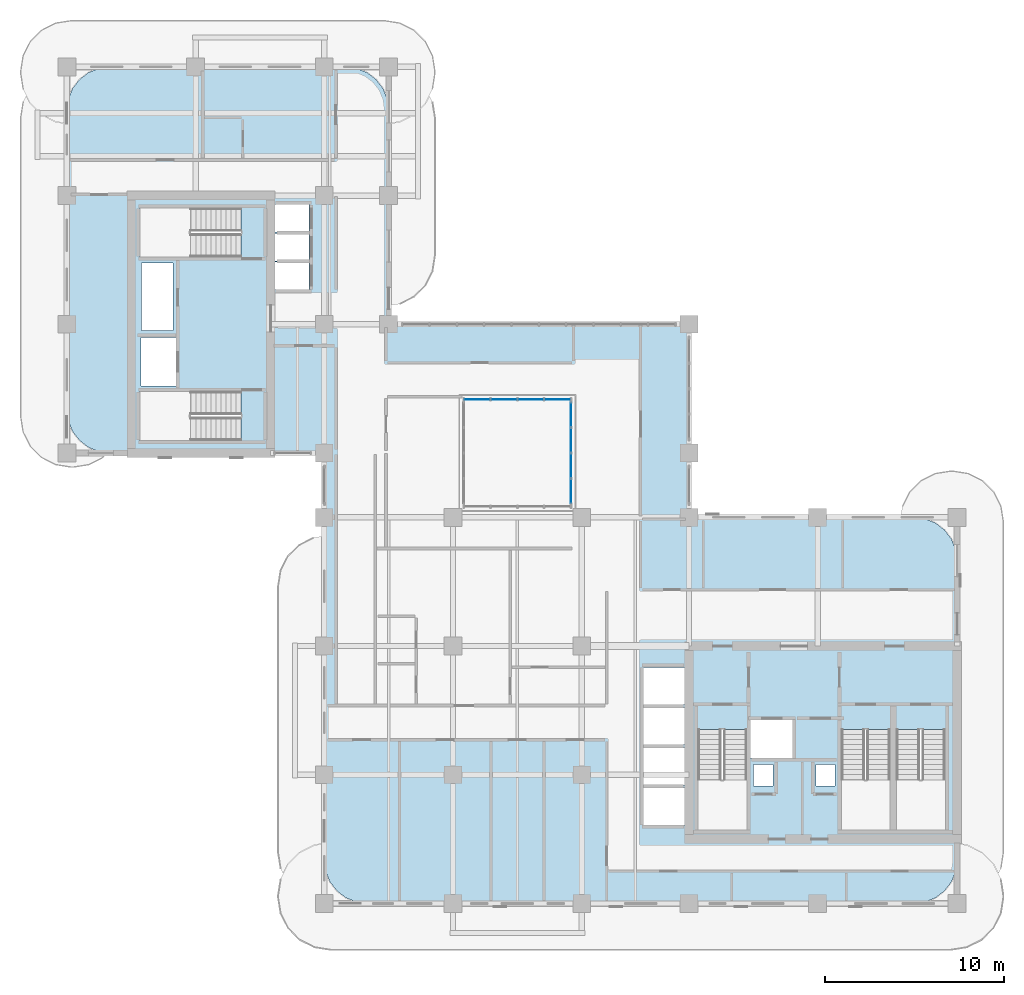
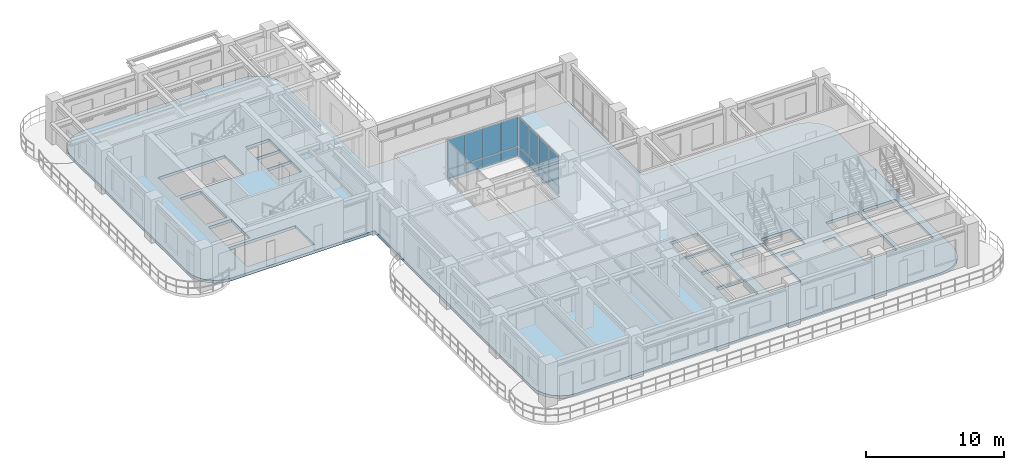
# One storey, part 8 of 20: 16 plates, 1 slab, 2 elements without a shape of their own.
"""IFC4 building model written with IfcOpenShell, lengths in metres."""

from ifc_helpers import new_model, si_unit, derived_unit, direction, frame, origin, origin_2d, place, context, subcontext, project, spatial, polyline, rectangle, outline, extrude, source, transform, mapped, material, layer, layer_set, type_object, element, aggregate, save


model = new_model("IFC4")

# Units and contexts
model_context = context("Model", 3, precision=1e-05, world=origin(), true_north=direction((0.0, 1.0)))
body_context = subcontext(model_context, "Body", "Model", "MODEL_VIEW")
ifc_project = project(units=[si_unit("LENGTHUNIT", "METRE"), si_unit("AREAUNIT", "SQUARE_METRE"), si_unit("VOLUMEUNIT", "CUBIC_METRE"), si_unit("PLANEANGLEUNIT", "RADIAN"), si_unit("MASSUNIT", "GRAM", prefix="KILO"), si_unit("THERMODYNAMICTEMPERATUREUNIT", "KELVIN"), si_unit("POWERUNIT", "WATT"), derived_unit("THERMALTRANSMITTANCEUNIT", [(si_unit("POWERUNIT", "WATT"), 1), (si_unit("AREAUNIT", "SQUARE_METRE"), -1), (si_unit("THERMODYNAMICTEMPERATUREUNIT", "KELVIN"), -1)])], contexts=[model_context])

# Site, building, storey
site_placement = place(None, origin())
site = spatial("IfcSite", under=ifc_project, at=site_placement, CompositionType="ELEMENT")
building_placement = place(site_placement, origin())
building = spatial("IfcBuilding", under=site, at=building_placement, Name="Zahravan Archway Hotel and Residences", CompositionType="ELEMENT")
storey_placement = place(building_placement, frame((0.0, 0.0, 161.85009765625)))
storey = spatial("IfcBuildingStorey", under=building, at=storey_placement, Name="L40", CompositionType="ELEMENT", Elevation=161.85009765625)

# Slab
ifc_material_1 = material(Name="Concrete C45/55", Category="concrete")
ifc_layer_1 = layer(ifc_material_1, 0.25, Name="Concrete C45/55", Category="concrete")
ifc_layer_set_1 = layer_set([ifc_layer_1], Name="Concrete C45/55")
slab_type = type_object("IfcSlabType", Name="SLB-FLR-250", PredefinedType="FLOOR", material=ifc_layer_set_1)
slab_placement = place(storey_placement, frame((0.0, 0.0, -0.25)))
element("IfcSlab", 1, at=slab_placement, inside=storey, type_object=slab_type, Name="L40 Floor Slab LB", PredefinedType="FLOOR", context=body_context, shape_type="SweptSolid", body=[
    extrude(outline(polyline([(34.800048828125, 21.60009765625), (34.800048828125, 32.39990234375), (18.0, 32.39990234375), (18.0, 44.39990234375), (17.918212890625, 45.021240234375), (17.678466796875, 45.60009765625), (17.297119140625, 46.09716796875), (16.800048828125, 46.478515625), (16.22119140625, 46.71826171875), (15.60009765625, 46.800048828125), (2.39990234375, 46.800048828125), (1.77880859375, 46.71826171875), (1.199951171875, 46.478515625), (0.702880859375, 46.09716796875), (0.321533203125, 45.60009765625), (0.081787109375, 45.021240234375), (0.0, 44.39990234375), (0.0, 27.60009765625), (0.081787109375, 26.978759765625), (0.321533203125, 26.39990234375), (0.702880859375, 25.90283203125), (1.199951171875, 25.521484375), (1.77880859375, 25.28173828125), (2.39990234375, 25.199951171875), (14.39990234375, 25.199951171875), (14.39990234375, 19.199951171875), (14.39990234375, 19.10009765625), (14.39990234375, 2.39990234375), (14.481689453125, 1.77880859375), (14.721435546875, 1.199951171875), (15.102783203125, 0.702880859375), (15.60009765625, 0.321533203125), (16.1787109375, 0.081787109375), (16.800048828125, 0.0), (47.39990234375, 0.0), (48.021240234375, 0.081787109375), (48.60009765625, 0.321533203125), (49.09716796875, 0.702880859375), (49.478515625, 1.199951171875), (49.71826171875, 1.77880859375), (49.800048828125, 2.39990234375), (49.800048828125, 19.199951171875), (49.71826171875, 19.8212890625), (49.478515625, 20.39990234375), (49.09716796875, 20.897216796875), (48.60009765625, 21.278564453125), (48.021240234375, 21.518310546875), (47.39990234375, 21.60009765625), (34.800048828125, 21.60009765625)]), holes=[polyline([(35.300048828125, 9.72998046875), (35.300048828125, 4.10009765625), (38.0400390625, 4.10009765625), (38.0400390625, 9.72998046875), (35.300048828125, 9.72998046875)]), polyline([(43.320068359375, 9.72998046875), (43.320068359375, 4.10009765625), (46.06005859375, 4.10009765625), (46.06005859375, 9.72998046875), (43.320068359375, 9.72998046875)]), polyline([(46.39990234375, 9.72998046875), (46.39990234375, 4.10009765625), (49.139892578125, 4.10009765625), (49.139892578125, 9.72998046875), (46.39990234375, 9.72998046875)]), polyline([(9.72998046875, 28.639892578125), (4.10009765625, 28.639892578125), (4.10009765625, 25.89990234375), (9.72998046875, 25.89990234375), (9.72998046875, 28.639892578125)]), polyline([(9.72998046875, 38.89990234375), (4.10009765625, 38.89990234375), (4.10009765625, 36.159912109375), (9.72998046875, 36.159912109375), (9.72998046875, 38.89990234375)]), polyline([(38.179931640625, 8.14990234375), (40.699951171875, 8.14990234375), (40.699951171875, 10.25), (38.179931640625, 10.25), (38.179931640625, 8.14990234375)]), polyline([(4.14990234375, 28.949951171875), (6.10009765625, 28.949951171875), (6.10009765625, 31.64990234375), (4.14990234375, 31.64990234375), (4.14990234375, 28.949951171875)]), polyline([(11.550048828125, 34.35009765625), (13.550048828125, 34.35009765625), (13.550048828125, 35.889892578125), (11.550048828125, 35.889892578125), (11.550048828125, 34.35009765625)]), polyline([(11.550048828125, 35.949951171875), (13.550048828125, 35.949951171875), (13.550048828125, 37.489990234375), (11.550048828125, 37.489990234375), (11.550048828125, 35.949951171875)]), polyline([(11.550048828125, 37.550048828125), (13.550048828125, 37.550048828125), (13.550048828125, 39.090087890625), (11.550048828125, 39.090087890625), (11.550048828125, 37.550048828125)]), polyline([(32.25, 4.39990234375), (34.550048828125, 4.39990234375), (34.550048828125, 6.47998046875), (32.25, 6.47998046875), (32.25, 4.39990234375)]), polyline([(32.25, 6.639892578125), (34.550048828125, 6.639892578125), (34.550048828125, 8.719970703125), (32.25, 8.719970703125), (32.25, 6.639892578125)]), polyline([(32.25, 8.8798828125), (34.550048828125, 8.8798828125), (34.550048828125, 10.9599609375), (32.25, 10.9599609375), (32.25, 8.8798828125)]), polyline([(32.25, 11.1201171875), (34.550048828125, 11.1201171875), (34.550048828125, 13.199951171875), (32.25, 13.199951171875), (32.25, 11.1201171875)]), polyline([(22.199951171875, 22.199951171875), (28.199951171875, 22.199951171875), (28.199951171875, 28.199951171875), (22.199951171875, 28.199951171875), (22.199951171875, 22.199951171875)]), polyline([(38.419921875, 6.56005859375), (39.5, 6.56005859375), (39.5, 7.780029296875), (38.419921875, 7.780029296875), (38.419921875, 6.56005859375)]), polyline([(41.89990234375, 6.56005859375), (42.9599609375, 6.56005859375), (42.9599609375, 7.780029296875), (41.89990234375, 7.780029296875), (41.89990234375, 6.56005859375)]), polyline([(4.179931640625, 32.050048828125), (5.93994140625, 32.050048828125), (5.93994140625, 35.840087890625), (4.179931640625, 35.840087890625), (4.179931640625, 32.050048828125)])]), origin(), (0.0, 0.0, 1.0), 0.25),
])

# Curtain wall, plates
ifc_material_2 = material(Name="Bronze-Anodized Unitised Aluminium & Low-E Glass", Category="aluminium")
ifc_layer_2 = layer(ifc_material_2, 0.179931640625, Name="Bronze-Anodized Unitised Aluminium & Low-E Glass", Category="aluminium")
ifc_layer_set_2 = layer_set([ifc_layer_2], Name="Bronze-Anodized Unitised Aluminium & Low-E Glass")
curtain_wall_type = type_object("IfcCurtainWallType", Name="CW-ATR-GLAZ", PredefinedType="NOTDEFINED", material=ifc_layer_set_2)
curtain_wall_1_placement = place(storey_placement, origin())
curtain_wall_1 = element("IfcCurtainWall", 2, at=curtain_wall_1_placement, inside=storey, type_object=curtain_wall_type, Name="L40 Curtain Wall CW-ATR-L40-N-1", PredefinedType="NOTDEFINED")
ifc_material_3 = material(Name="Insulated Terracotta Spandrel Panel", Category="masonry")
ifc_layer_3 = layer(ifc_material_3, 0.0400390625, Name="Insulated Terracotta Spandrel Panel", Category="masonry")
ifc_layer_set_3 = layer_set([ifc_layer_3], Name="Insulated Terracotta Spandrel Panel")
plate_type_1 = type_object("IfcPlateType", Name="CWP-SPN-40", PredefinedType="SHEET", material=ifc_layer_set_3)
shared_shape_1 = source(origin(), body_context, "Body", "SweptSolid", [
    extrude(rectangle(XDim=1.419921875, YDim=0.0400390625, at=origin_2d()), origin(), (0.0, 0.0, 1.0), 0.7099609375),
])
plate_1_placement = place(storey_placement, frame((22.949951171875, 28.199951171875, 0.099853515625), z_axis=(0.0, 0.0, 1.0), x_axis=(1.0, 0.0, 0.0)))
plate_1 = element("IfcPlate", 3, at=plate_1_placement, type_object=plate_type_1, Name="CW-ATR-L40-N-1 Spandrel Panel 0", PredefinedType="SHEET", context=body_context, shape_type="MappedRepresentation", body=[
    mapped(shared_shape_1, transform((0.0, 0.0, 0.0), scale=1.0)),
])
plate_2_placement = place(storey_placement, frame((24.449951171875, 28.199951171875, 0.099853515625), z_axis=(0.0, 0.0, 1.0), x_axis=(1.0, 0.0, 0.0)))
plate_2 = element("IfcPlate", 4, at=plate_2_placement, type_object=plate_type_1, Name="CW-ATR-L40-N-1 Spandrel Panel 1", PredefinedType="SHEET", context=body_context, shape_type="MappedRepresentation", body=[
    mapped(shared_shape_1, transform((0.0, 0.0, 0.0), scale=1.0)),
])
plate_3_placement = place(storey_placement, frame((25.949951171875, 28.199951171875, 0.099853515625), z_axis=(0.0, 0.0, 1.0), x_axis=(1.0, 0.0, 0.0)))
plate_3 = element("IfcPlate", 5, at=plate_3_placement, type_object=plate_type_1, Name="CW-ATR-L40-N-1 Spandrel Panel 2", PredefinedType="SHEET", context=body_context, shape_type="MappedRepresentation", body=[
    mapped(shared_shape_1, transform((0.0, 0.0, 0.0), scale=1.0)),
])
plate_4_placement = place(storey_placement, frame((27.449951171875, 28.199951171875, 0.099853515625), z_axis=(0.0, 0.0, 1.0), x_axis=(1.0, 0.0, 0.0)))
plate_4 = element("IfcPlate", 6, at=plate_4_placement, type_object=plate_type_1, Name="CW-ATR-L40-N-1 Spandrel Panel 3", PredefinedType="SHEET", context=body_context, shape_type="MappedRepresentation", body=[
    mapped(shared_shape_1, transform((0.0, 0.0, 0.0), scale=1.0)),
])

curtain_wall_2_placement = place(storey_placement, origin())
curtain_wall_2 = element("IfcCurtainWall", 7, at=curtain_wall_2_placement, inside=storey, type_object=curtain_wall_type, Name="L40 Curtain Wall CW-ATR-L40-E-1", PredefinedType="NOTDEFINED")
shared_shape_2 = source(origin(), body_context, "Body", "SweptSolid", [
    extrude(rectangle(XDim=1.344970703125, YDim=0.0400390625, at=origin_2d()), origin(), (0.0, 0.0, 1.0), 0.7099609375),
])
plate_5_placement = place(storey_placement, frame((28.199951171875, 23.0625, 0.099853515625), z_axis=(0.0, 0.0, 1.0), x_axis=(0.0, 1.0, 0.0)))
plate_5 = element("IfcPlate", 8, at=plate_5_placement, type_object=plate_type_1, Name="CW-ATR-L40-E-1 Spandrel Panel 0", PredefinedType="SHEET", context=body_context, shape_type="MappedRepresentation", body=[
    mapped(shared_shape_2, transform((0.0, 0.0, 0.0), scale=1.0)),
])
plate_6_placement = place(storey_placement, frame((28.199951171875, 24.487548828125, 0.099853515625), z_axis=(0.0, 0.0, 1.0), x_axis=(0.0, 1.0, 0.0)))
plate_6 = element("IfcPlate", 9, at=plate_6_placement, type_object=plate_type_1, Name="CW-ATR-L40-E-1 Spandrel Panel 1", PredefinedType="SHEET", context=body_context, shape_type="MappedRepresentation", body=[
    mapped(shared_shape_2, transform((0.0, 0.0, 0.0), scale=1.0)),
])
plate_7_placement = place(storey_placement, frame((28.199951171875, 25.91259765625, 0.099853515625), z_axis=(0.0, 0.0, 1.0), x_axis=(0.0, 1.0, 0.0)))
plate_7 = element("IfcPlate", 10, at=plate_7_placement, type_object=plate_type_1, Name="CW-ATR-L40-E-1 Spandrel Panel 2", PredefinedType="SHEET", context=body_context, shape_type="MappedRepresentation", body=[
    mapped(shared_shape_2, transform((0.0, 0.0, 0.0), scale=1.0)),
])
plate_8_placement = place(storey_placement, frame((28.199951171875, 27.33740234375, 0.099853515625), z_axis=(0.0, 0.0, 1.0), x_axis=(0.0, 1.0, 0.0)))
plate_8 = element("IfcPlate", 11, at=plate_8_placement, type_object=plate_type_1, Name="CW-ATR-L40-E-1 Spandrel Panel 3", PredefinedType="SHEET", context=body_context, shape_type="MappedRepresentation", body=[
    mapped(shared_shape_2, transform((0.0, 0.0, 0.0), scale=1.0)),
])

# Plate
ifc_material_4 = material(Name="Double-Silver Low-E Insulated Vision Glass", Category="glass")
ifc_layer_4 = layer(ifc_material_4, 0.028076171875, Name="Double-Silver Low-E Insulated Vision Glass", Category="glass")
ifc_layer_set_4 = layer_set([ifc_layer_4], Name="Double-Silver Low-E Insulated Vision Glass")
plate_type_2 = type_object("IfcPlateType", Name="CWP-GLZ-28", PredefinedType="CURTAIN_PANEL", material=ifc_layer_set_4)
shared_shape_3 = source(origin(), body_context, "Body", "SweptSolid", [
    extrude(rectangle(XDim=1.419921875, YDim=0.028076171875, at=origin_2d()), origin(), (0.0, 0.0, 1.0), 2.610107421875),
])
plate_9_placement = place(storey_placement, frame((22.949951171875, 28.199951171875, 0.8896484375), z_axis=(0.0, 0.0, 1.0), x_axis=(1.0, 0.0, 0.0)))
plate_9 = element("IfcPlate", 12, at=plate_9_placement, type_object=plate_type_2, Name="CW-ATR-L40-N-1 Low-E Vision Panel 0", PredefinedType="CURTAIN_PANEL", context=body_context, shape_type="MappedRepresentation", body=[
    mapped(shared_shape_3, transform((0.0, 0.0, 0.0), scale=1.0)),
])

plate_10_placement = place(storey_placement, frame((24.449951171875, 28.199951171875, 0.8896484375), z_axis=(0.0, 0.0, 1.0), x_axis=(1.0, 0.0, 0.0)))
plate_10 = element("IfcPlate", 13, at=plate_10_placement, type_object=plate_type_2, Name="CW-ATR-L40-N-1 Low-E Vision Panel 1", PredefinedType="CURTAIN_PANEL", context=body_context, shape_type="MappedRepresentation", body=[
    mapped(shared_shape_3, transform((0.0, 0.0, 0.0), scale=1.0)),
])

plate_11_placement = place(storey_placement, frame((25.949951171875, 28.199951171875, 0.8896484375), z_axis=(0.0, 0.0, 1.0), x_axis=(1.0, 0.0, 0.0)))
plate_11 = element("IfcPlate", 14, at=plate_11_placement, type_object=plate_type_2, Name="CW-ATR-L40-N-1 Low-E Vision Panel 2", PredefinedType="CURTAIN_PANEL", context=body_context, shape_type="MappedRepresentation", body=[
    mapped(shared_shape_3, transform((0.0, 0.0, 0.0), scale=1.0)),
])

plate_12_placement = place(storey_placement, frame((27.449951171875, 28.199951171875, 0.8896484375), z_axis=(0.0, 0.0, 1.0), x_axis=(1.0, 0.0, 0.0)))
plate_12 = element("IfcPlate", 15, at=plate_12_placement, type_object=plate_type_2, Name="CW-ATR-L40-N-1 Low-E Vision Panel 3", PredefinedType="CURTAIN_PANEL", context=body_context, shape_type="MappedRepresentation", body=[
    mapped(shared_shape_3, transform((0.0, 0.0, 0.0), scale=1.0)),
])

aggregate(curtain_wall_1, [plate_1, plate_9, plate_2, plate_10, plate_3, plate_11, plate_4, plate_12])

shared_shape_4 = source(origin(), body_context, "Body", "SweptSolid", [
    extrude(rectangle(XDim=1.344970703125, YDim=0.028076171875, at=origin_2d()), origin(), (0.0, 0.0, 1.0), 2.610107421875),
])
plate_13_placement = place(storey_placement, frame((28.199951171875, 23.0625, 0.8896484375), z_axis=(0.0, 0.0, 1.0), x_axis=(0.0, 1.0, 0.0)))
plate_13 = element("IfcPlate", 16, at=plate_13_placement, type_object=plate_type_2, Name="CW-ATR-L40-E-1 Low-E Vision Panel 0", PredefinedType="CURTAIN_PANEL", context=body_context, shape_type="MappedRepresentation", body=[
    mapped(shared_shape_4, transform((0.0, 0.0, 0.0), scale=1.0)),
])

plate_14_placement = place(storey_placement, frame((28.199951171875, 24.487548828125, 0.8896484375), z_axis=(0.0, 0.0, 1.0), x_axis=(0.0, 1.0, 0.0)))
plate_14 = element("IfcPlate", 17, at=plate_14_placement, type_object=plate_type_2, Name="CW-ATR-L40-E-1 Low-E Vision Panel 1", PredefinedType="CURTAIN_PANEL", context=body_context, shape_type="MappedRepresentation", body=[
    mapped(shared_shape_4, transform((0.0, 0.0, 0.0), scale=1.0)),
])

plate_15_placement = place(storey_placement, frame((28.199951171875, 25.91259765625, 0.8896484375), z_axis=(0.0, 0.0, 1.0), x_axis=(0.0, 1.0, 0.0)))
plate_15 = element("IfcPlate", 18, at=plate_15_placement, type_object=plate_type_2, Name="CW-ATR-L40-E-1 Low-E Vision Panel 2", PredefinedType="CURTAIN_PANEL", context=body_context, shape_type="MappedRepresentation", body=[
    mapped(shared_shape_4, transform((0.0, 0.0, 0.0), scale=1.0)),
])

plate_16_placement = place(storey_placement, frame((28.199951171875, 27.33740234375, 0.8896484375), z_axis=(0.0, 0.0, 1.0), x_axis=(0.0, 1.0, 0.0)))
plate_16 = element("IfcPlate", 19, at=plate_16_placement, type_object=plate_type_2, Name="CW-ATR-L40-E-1 Low-E Vision Panel 3", PredefinedType="CURTAIN_PANEL", context=body_context, shape_type="MappedRepresentation", body=[
    mapped(shared_shape_4, transform((0.0, 0.0, 0.0), scale=1.0)),
])

aggregate(curtain_wall_2, [plate_5, plate_13, plate_6, plate_14, plate_7, plate_15, plate_8, plate_16])

save(model, "model.ifc")
